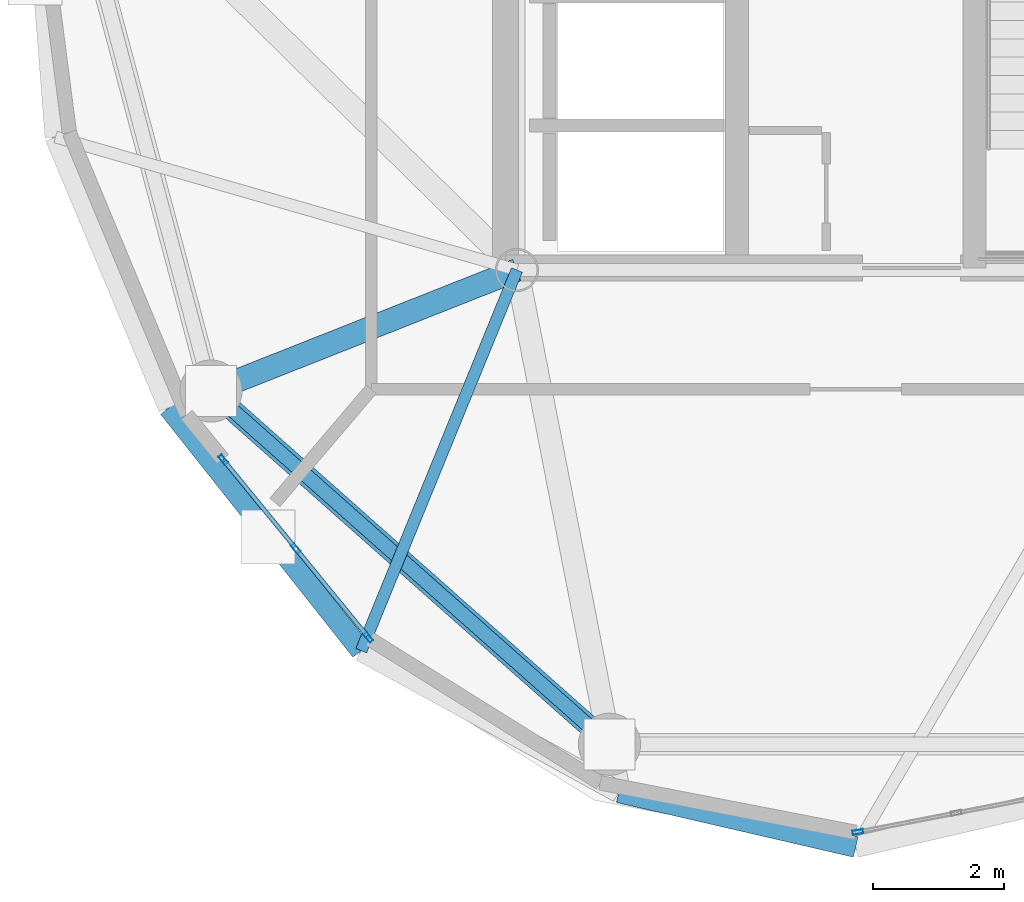
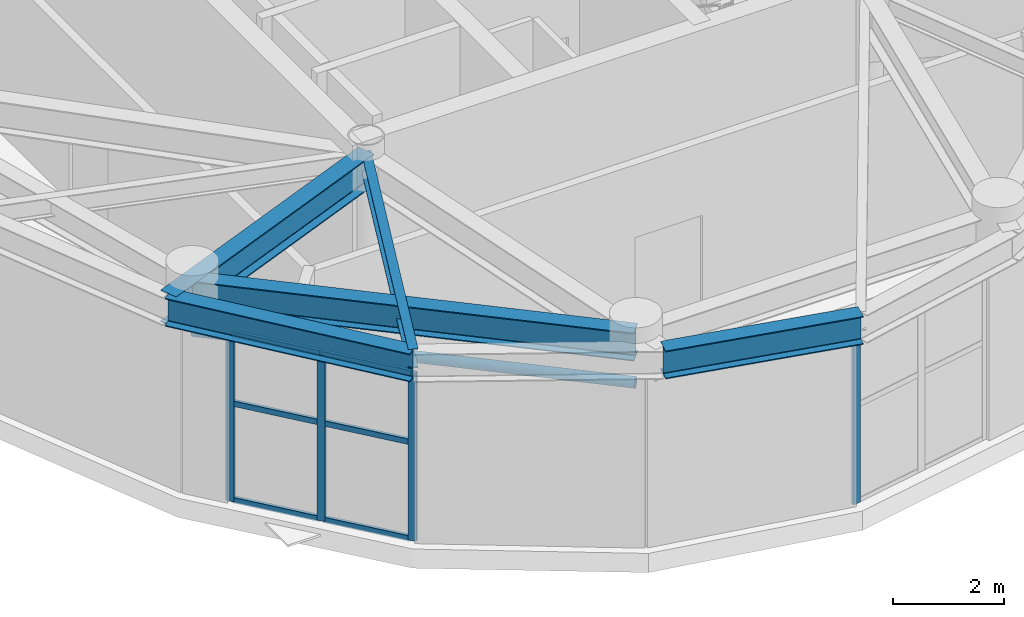
# One storey, part 2 of 28: 11 members, 5 beams, 2 elements without a shape of their own.
"""IFC4 building model written with IfcOpenShell, lengths in metres."""

from ifc_helpers import new_model, si_unit, direction, frame, origin, origin_2d, place, context, subcontext, project, spatial, hollow_rectangle, hollow_circle, i_section, extrude, material, layer, layer_set, material_profile, profile_set, type_object, element, aggregate, save


model = new_model("IFC4")

# Units and contexts
model_context = context("Model", 3, precision=1e-05, world=origin(), true_north=direction((0.0, 1.0)))
body_context = subcontext(model_context, "Body", "Model", "MODEL_VIEW")
ifc_project = project(units=[si_unit("LENGTHUNIT", "METRE"), si_unit("AREAUNIT", "SQUARE_METRE"), si_unit("VOLUMEUNIT", "CUBIC_METRE"), si_unit("PLANEANGLEUNIT", "RADIAN"), si_unit("MASSUNIT", "GRAM", prefix="KILO")], contexts=[model_context])

# Site, building, storey
site_placement = place(None, origin())
site = spatial("IfcSite", under=ifc_project, at=site_placement, CompositionType="ELEMENT")
building_placement = place(site_placement, origin())
building = spatial("IfcBuilding", under=site, at=building_placement, Name="Cununo Teusaquillo Station Towers", CompositionType="ELEMENT")
storey_placement = place(building_placement, frame((0.0, 0.0, 235.64990234375)))
storey = spatial("IfcBuildingStorey", under=building, at=storey_placement, Name="L75", CompositionType="ELEMENT", Elevation=235.64990234375)

# Beams
ifc_material_1 = material(Name="Steel ASTM A572 Grade 50", Category="steel")
ifc_material_profile_1 = material_profile(ifc_material_1, i_section(OverallWidth=0.180908203125, OverallDepth=0.4169921875, WebThickness=0.010986328125, FlangeThickness=0.018310546875, FilletRadius=0.012939453125, at=origin_2d()), Name="W16X57")
ifc_profile_set_1 = profile_set([ifc_material_profile_1], Name="Steel ASTM A572 Grade 50")
beam_type_1 = type_object("IfcBeamType", Name="BM-JOIST-1", PredefinedType="JOIST", material=ifc_profile_set_1)
beam_1_placement = place(storey_placement, frame((11.324951171875, 17.6201171875, 4.131591796875), z_axis=(-0.378576847217, -0.925569862707, 0.0), x_axis=(0.925569862707, -0.378576847217, 0.0)))
element("IfcBeam", 1, at=beam_1_placement, inside=storey, type_object=beam_type_1, Name="L75 Tower A Radial Spandrel Joist V13", PredefinedType="JOIST", context=body_context, shape_type="SweptSolid", body=[
    extrude(i_section(OverallWidth=0.180908203125, OverallDepth=0.4169921875, WebThickness=0.010986328125, FlangeThickness=0.018310546875, FilletRadius=0.012939453125, at=origin_2d()), origin(), (0.0, 0.0, 1.0), 6.28125),
])
ifc_material_2 = material(Name="Steel ASTM A572 Grade 50", Category="steel")
ifc_material_profile_2 = material_profile(ifc_material_2, i_section(OverallWidth=0.35498046875, OverallDepth=0.696044921875, WebThickness=0.015380859375, FlangeThickness=0.02490234375, FilletRadius=0.01806640625, at=origin_2d()), Name="W27X146")
ifc_profile_set_2 = profile_set([ifc_material_profile_2], Name="Steel ASTM A572 Grade 50")
beam_type_2 = type_object("IfcBeamType", Name="BM-PLNT-G1", PredefinedType="BEAM", material=ifc_profile_set_2)
beam_2_placement = place(storey_placement, frame((11.324951171875, 17.6201171875, 3.9921875), z_axis=(-0.929851670487, -0.36793460138, 0.0), x_axis=(0.36793460138, -0.929851670487, 0.0)))
element("IfcBeam", 2, at=beam_2_placement, inside=storey, type_object=beam_type_2, Name="L75 Tower A Continuous Overhanging Radial Girder 07", PredefinedType="BEAM", context=body_context, shape_type="SweptSolid", body=[
    extrude(i_section(OverallWidth=0.35498046875, OverallDepth=0.696044921875, WebThickness=0.015380859375, FlangeThickness=0.02490234375, FilletRadius=0.01806640625, at=origin_2d()), origin(), (0.0, 0.0, 1.0), 5.71630859375),
])
ifc_material_3 = material(Name="Steel ASTM A572 Grade 50", Category="steel")
ifc_material_profile_3 = material_profile(ifc_material_3, i_section(OverallWidth=0.324951171875, OverallDepth=0.615966796875, WebThickness=0.013916015625, FlangeThickness=0.021484375, FilletRadius=0.01611328125, at=origin_2d()), Name="W24X117")
ifc_profile_set_3 = profile_set([ifc_material_profile_3], Name="Steel ASTM A572 Grade 50")
beam_type_3 = type_object("IfcBeamType", Name="BM-PLNT-G2", PredefinedType="BEAM", material=ifc_profile_set_3)
beam_3_placement = place(storey_placement, frame((6.652587890625, 15.771484375, 4.031982421875), z_axis=(0.74832120039, -0.66333655187, 0.0), x_axis=(0.66333655187, 0.74832120039, 0.0)))
element("IfcBeam", 3, at=beam_3_placement, inside=storey, type_object=beam_type_3, Name="L75 Tower A Structural Column Ring Girder 07", PredefinedType="BEAM", context=body_context, shape_type="SweptSolid", body=[
    extrude(i_section(OverallWidth=0.324951171875, OverallDepth=0.615966796875, WebThickness=0.013916015625, FlangeThickness=0.021484375, FilletRadius=0.01611328125, at=origin_2d()), origin(), (0.0, 0.0, 1.0), 8.1328125),
])
beam_4_placement = place(storey_placement, frame((6.009521484375, 15.516845703125, 4.031982421875), z_axis=(0.620710872531, -0.784039547932, 0.0), x_axis=(0.784039547932, 0.620710872531, 0.0)))
element("IfcBeam", 4, at=beam_4_placement, inside=storey, type_object=beam_type_3, Name="L75 Tower A Spandrel Ring Beam 13", PredefinedType="BEAM", context=body_context, shape_type="SweptSolid", body=[
    extrude(i_section(OverallWidth=0.324951171875, OverallDepth=0.615966796875, WebThickness=0.013916015625, FlangeThickness=0.021484375, FilletRadius=0.01611328125, at=origin_2d()), origin(), (0.0, 0.0, 1.0), 4.732421875),
])
beam_5_placement = place(storey_placement, frame((12.881103515625, 9.646484375, 4.031982421875), z_axis=(0.97431470066, -0.225190728224, 0.0), x_axis=(0.225190728224, 0.97431470066, 0.0)))
element("IfcBeam", 5, at=beam_5_placement, inside=storey, type_object=beam_type_3, Name="L75 Tower A Spandrel Ring Beam 15", PredefinedType="BEAM", context=body_context, shape_type="SweptSolid", body=[
    extrude(i_section(OverallWidth=0.324951171875, OverallDepth=0.615966796875, WebThickness=0.013916015625, FlangeThickness=0.021484375, FilletRadius=0.01611328125, at=origin_2d()), origin(), (0.0, 0.0, 1.0), 3.71435546875),
])

# Curtain wall, members
ifc_material_4 = material(Name="Ceramic-fritted dark low-E double glazing", Category="glass")
ifc_layer = layer(ifc_material_4, 0.179931640625)
ifc_layer_set = layer_set([ifc_layer], Name="Ceramic-fritted dark low-E double glazing")
curtain_wall_type = type_object("IfcCurtainWallType", Name="CW-SYS-08", PredefinedType="USERDEFINED", material=ifc_layer_set)
curtain_wall_1_placement = place(storey_placement, origin())
curtain_wall_1 = element("IfcCurtainWall", 6, at=curtain_wall_1_placement, inside=storey, type_object=curtain_wall_type, Name="L75 Tower A Crown Drum Glazed Screen C12", ObjectType="FRITTED GLAZING", PredefinedType="USERDEFINED")
ifc_material_5 = material(Name="Anodised dark bronze aluminium EN AW-6063-T6", Category="aluminium")
ifc_material_profile_4 = material_profile(ifc_material_5, hollow_rectangle(XDim=0.06494140625, YDim=0.159912109375, WallThickness=0.00390625, at=origin_2d()), Name="CW-MULL-65x160")
ifc_profile_set_4 = profile_set([ifc_material_profile_4], Name="Anodised dark bronze aluminium EN AW-6063-T6")
member_type_1 = type_object("IfcMemberType", Name="CWM-160", PredefinedType="MULLION", material=ifc_profile_set_4)
member_1_placement = place(storey_placement, frame((9.0556640625, 12.009765625, 0.0), z_axis=(0.0, 0.0, 1.0), x_axis=(-0.774634862696, -0.632408751913, 0.0)))
member_1 = element("IfcMember", 7, at=member_1_placement, type_object=member_type_1, Name="CW-08 mullion 1", PredefinedType="MULLION", context=body_context, shape_type="SweptSolid", body=[
    extrude(hollow_rectangle(XDim=0.06494140625, YDim=0.159912109375, WallThickness=0.00390625, at=origin_2d()), origin(), (0.0, 0.0, 1.0), 3.696044921875),
])
member_2_placement = place(storey_placement, frame((7.947998046875, 13.366455078125, 0.0), z_axis=(0.0, 0.0, 1.0), x_axis=(-0.774634862696, -0.632408751913, 0.0)))
member_2 = element("IfcMember", 8, at=member_2_placement, type_object=member_type_1, Name="CW-08 mullion 2", PredefinedType="MULLION", context=body_context, shape_type="SweptSolid", body=[
    extrude(hollow_rectangle(XDim=0.06494140625, YDim=0.159912109375, WallThickness=0.00390625, at=origin_2d()), origin(), (0.0, 0.0, 1.0), 3.696044921875),
])
member_3_placement = place(storey_placement, frame((6.84033203125, 14.723388671875, 0.0), z_axis=(0.0, 0.0, 1.0), x_axis=(-0.774634862696, -0.632408751913, 0.0)))
member_3 = element("IfcMember", 9, at=member_3_placement, type_object=member_type_1, Name="CW-08 mullion 3", PredefinedType="MULLION", context=body_context, shape_type="SweptSolid", body=[
    extrude(hollow_rectangle(XDim=0.06494140625, YDim=0.159912109375, WallThickness=0.00390625, at=origin_2d()), origin(), (0.0, 0.0, 1.0), 3.696044921875),
])

# Curtain wall, member
curtain_wall_2_placement = place(storey_placement, origin())
curtain_wall_2 = element("IfcCurtainWall", 10, at=curtain_wall_2_placement, inside=storey, type_object=curtain_wall_type, Name="L75 Tower A Crown Drum Glazed Screen C15", ObjectType="FRITTED GLAZING", PredefinedType="USERDEFINED")
member_4_placement = place(storey_placement, frame((16.531982421875, 9.0361328125, 0.0), z_axis=(0.0, 0.0, 1.0), x_axis=(0.190452618648, -0.981696388936, 0.0)))
member_4 = element("IfcMember", 11, at=member_4_placement, type_object=member_type_1, Name="CW-08 mullion 3", PredefinedType="MULLION", context=body_context, shape_type="SweptSolid", body=[
    extrude(hollow_rectangle(XDim=0.06494140625, YDim=0.159912109375, WallThickness=0.00390625, at=origin_2d()), origin(), (0.0, 0.0, 1.0), 3.696044921875),
])
aggregate(curtain_wall_2, [member_4])

# Member
ifc_material_6 = material(Name="Anodised dark bronze aluminium EN AW-6063-T6", Category="aluminium")
ifc_material_profile_5 = material_profile(ifc_material_6, hollow_rectangle(XDim=0.06494140625, YDim=0.1201171875, WallThickness=0.00390625, at=origin_2d()), Name="CW-TRAN-65x120")
ifc_profile_set_5 = profile_set([ifc_material_profile_5], Name="Anodised dark bronze aluminium EN AW-6063-T6")
member_type_2 = type_object("IfcMemberType", Name="CWT-120", PredefinedType="USERDEFINED", material=ifc_profile_set_5)
member_5_placement = place(storey_placement, frame((9.03515625, 12.034912109375, 0.03271484375), z_axis=(-0.632449173832, 0.774601860648, 0.0), x_axis=(-0.774601860648, -0.632449173832, 0.0)))
member_5 = element("IfcMember", 12, at=member_5_placement, type_object=member_type_2, Name="CW-08 transom 1.1", ObjectType="TRANSOM", PredefinedType="USERDEFINED", context=body_context, shape_type="SweptSolid", body=[
    extrude(hollow_rectangle(XDim=0.06494140625, YDim=0.1201171875, WallThickness=0.00390625, at=origin_2d()), origin(), (0.0, 0.0, 1.0), 1.6865234375),
])

member_6_placement = place(storey_placement, frame((9.03515625, 12.034912109375, 2.150146484375), z_axis=(-0.632449173832, 0.774601860648, 0.0), x_axis=(-0.774601860648, -0.632449173832, 0.0)))
member_6 = element("IfcMember", 13, at=member_6_placement, type_object=member_type_2, Name="CW-08 transom 1.2", ObjectType="TRANSOM", PredefinedType="USERDEFINED", context=body_context, shape_type="SweptSolid", body=[
    extrude(hollow_rectangle(XDim=0.06494140625, YDim=0.1201171875, WallThickness=0.00390625, at=origin_2d()), origin(), (0.0, 0.0, 1.0), 1.6865234375),
])

member_7_placement = place(storey_placement, frame((9.03515625, 12.034912109375, 3.66357421875), z_axis=(-0.632449173832, 0.774601860648, 0.0), x_axis=(-0.774601860648, -0.632449173832, 0.0)))
member_7 = element("IfcMember", 14, at=member_7_placement, type_object=member_type_2, Name="CW-08 transom 1.3", ObjectType="TRANSOM", PredefinedType="USERDEFINED", context=body_context, shape_type="SweptSolid", body=[
    extrude(hollow_rectangle(XDim=0.06494140625, YDim=0.1201171875, WallThickness=0.00390625, at=origin_2d()), origin(), (0.0, 0.0, 1.0), 1.6865234375),
])

member_8_placement = place(storey_placement, frame((7.927490234375, 13.391845703125, 0.03271484375), z_axis=(-0.632449173832, 0.774601860648, 0.0), x_axis=(-0.774601860648, -0.632449173832, 0.0)))
member_8 = element("IfcMember", 15, at=member_8_placement, type_object=member_type_2, Name="CW-08 transom 2.1", ObjectType="TRANSOM", PredefinedType="USERDEFINED", context=body_context, shape_type="SweptSolid", body=[
    extrude(hollow_rectangle(XDim=0.06494140625, YDim=0.1201171875, WallThickness=0.00390625, at=origin_2d()), origin(), (0.0, 0.0, 1.0), 1.6865234375),
])

member_9_placement = place(storey_placement, frame((7.927490234375, 13.391845703125, 2.150146484375), z_axis=(-0.632449173832, 0.774601860648, 0.0), x_axis=(-0.774601860648, -0.632449173832, 0.0)))
member_9 = element("IfcMember", 16, at=member_9_placement, type_object=member_type_2, Name="CW-08 transom 2.2", ObjectType="TRANSOM", PredefinedType="USERDEFINED", context=body_context, shape_type="SweptSolid", body=[
    extrude(hollow_rectangle(XDim=0.06494140625, YDim=0.1201171875, WallThickness=0.00390625, at=origin_2d()), origin(), (0.0, 0.0, 1.0), 1.6865234375),
])

member_10_placement = place(storey_placement, frame((7.927490234375, 13.391845703125, 3.66357421875), z_axis=(-0.632449173832, 0.774601860648, 0.0), x_axis=(-0.774601860648, -0.632449173832, 0.0)))
member_10 = element("IfcMember", 17, at=member_10_placement, type_object=member_type_2, Name="CW-08 transom 2.3", ObjectType="TRANSOM", PredefinedType="USERDEFINED", context=body_context, shape_type="SweptSolid", body=[
    extrude(hollow_rectangle(XDim=0.06494140625, YDim=0.1201171875, WallThickness=0.00390625, at=origin_2d()), origin(), (0.0, 0.0, 1.0), 1.6865234375),
])

aggregate(curtain_wall_1, [member_1, member_2, member_3, member_5, member_6, member_7, member_8, member_9, member_10])

ifc_material_7 = material(Name="Steel EN 10025-2 S355J2", Category="steel")
ifc_material_profile_6 = material_profile(ifc_material_7, hollow_circle(Radius=0.109619140625, WallThickness=0.010009765625, at=origin_2d()), Name="CHS 219x10")
ifc_profile_set_6 = profile_set([ifc_material_profile_6], Name="Steel EN 10025-2 S355J2")
member_type_3 = type_object("IfcMemberType", Name="MBR-DRUM-COL", PredefinedType="COLLAR", material=ifc_profile_set_6)
member_11_placement = place(storey_placement, frame((6.652587890625, 15.771484375, 3.150146484375), z_axis=(0.74832120039, -0.66333655187, 0.0), x_axis=(0.66333655187, 0.74832120039, 0.0)))
element("IfcMember", 18, at=member_11_placement, inside=storey, type_object=member_type_3, Name="L75 Tower A Crown Drum Collar 07", PredefinedType="COLLAR", context=body_context, shape_type="SweptSolid", body=[
    extrude(hollow_circle(Radius=0.109619140625, WallThickness=0.010009765625, at=origin_2d()), origin(), (0.0, 0.0, 1.0), 8.1328125),
])

save(model, "model.ifc")
